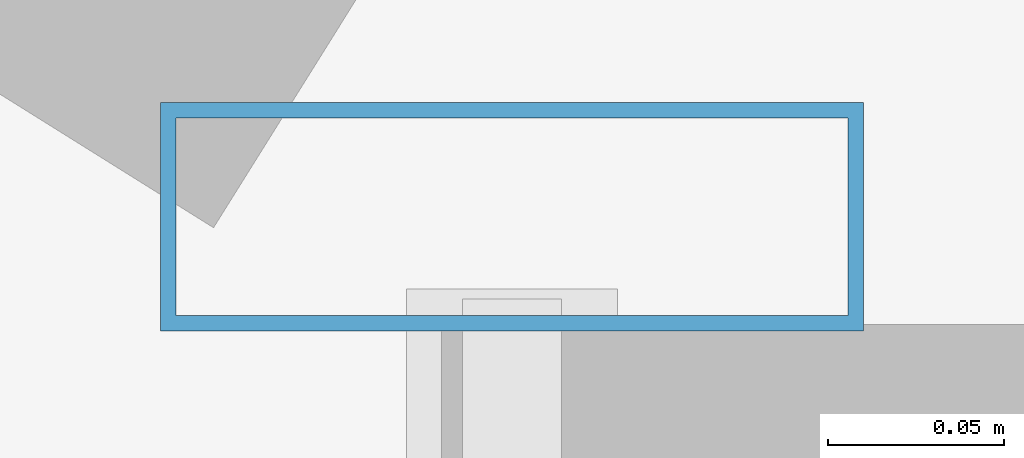
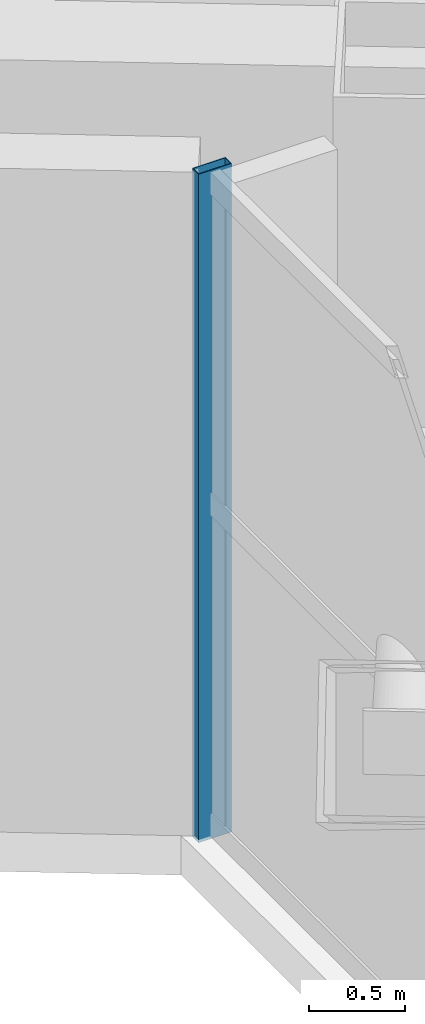
# One storey, part 6 of 32: 1 member, 1 element without a shape of its own.
"""IFC4 building model written with IfcOpenShell, lengths in metres."""

from ifc_helpers import new_model, si_unit, direction, frame, origin, origin_2d, place, context, subcontext, project, spatial, hollow_rectangle, extrude, source, transform, mapped, material, material_profile, profile_set, type_object, element, aggregate, save


model = new_model("IFC4")

# Units and contexts
model_context = context("Model", 3, precision=1e-05, world=origin(), true_north=direction((0.0, 1.0)))
body_context = subcontext(model_context, "Body", "Model", "MODEL_VIEW")
ifc_project = project(units=[si_unit("LENGTHUNIT", "METRE"), si_unit("AREAUNIT", "SQUARE_METRE"), si_unit("VOLUMEUNIT", "CUBIC_METRE"), si_unit("PLANEANGLEUNIT", "RADIAN"), si_unit("MASSUNIT", "GRAM", prefix="KILO")], contexts=[model_context])

# Site, building, storey
site_placement = place(None, origin())
site = spatial("IfcSite", under=ifc_project, at=site_placement, CompositionType="ELEMENT")
building_placement = place(site_placement, origin())
building = spatial("IfcBuilding", under=site, at=building_placement, Name="Tlacorven Tower", CompositionType="ELEMENT")
storey_placement = place(building_placement, frame((0.0, 0.0, 123.300048828125)))
storey = spatial("IfcBuildingStorey", under=building, at=storey_placement, Name="L31", CompositionType="ELEMENT", Elevation=123.300048828125)

# Curtain wall, member
ifc_material_1 = material(Name="Dark solar low-E double glazing in aluminium frame", Category="aluminium")
curtain_wall_type = type_object("IfcCurtainWallType", Name="CW-TWR-MID", PredefinedType="USERDEFINED", material=ifc_material_1)
curtain_wall_placement = place(storey_placement, origin())
curtain_wall = element("IfcCurtainWall", 1, at=curtain_wall_placement, inside=storey, type_object=curtain_wall_type, Name="L31 CW-TWR-MID Curtain Wall 154", ObjectType="UNITISED CURTAIN WALL", PredefinedType="USERDEFINED")
ifc_material_2 = material(Name="Aluminium 6063-T6 anodised", Category="aluminium")
ifc_material_profile = material_profile(ifc_material_2, hollow_rectangle(XDim=0.06494140625, YDim=0.199951171875, WallThickness=0.00439453125, at=origin_2d()), Name="ALU MULLION 65X200")
ifc_profile_set = profile_set([ifc_material_profile], Name="Aluminium 6063-T6 anodised")
member_type = type_object("IfcMemberType", Name="CWM-02", PredefinedType="MULLION", material=ifc_profile_set)
shared_shape = source(origin(), body_context, "Body", "SweptSolid", [
    extrude(hollow_rectangle(XDim=0.06494140625, YDim=0.199951171875, WallThickness=0.00439453125, at=origin_2d()), origin(), (0.0, 0.0, 1.0), 4.25),
])
member_placement = place(storey_placement, frame((31.760009765625, 12.050537109375, -0.02001953125), z_axis=(0.0, 0.0, 1.0), x_axis=(0.0, 1.0, 0.0)))
member = element("IfcMember", 2, at=member_placement, type_object=member_type, Name="CW-L31-154 Mullion 4", PredefinedType="MULLION", context=body_context, shape_type="MappedRepresentation", body=[
    mapped(shared_shape, transform((0.0, 0.0, 0.0), scale=1.0)),
])
aggregate(curtain_wall, [member])

save(model, "model.ifc")
